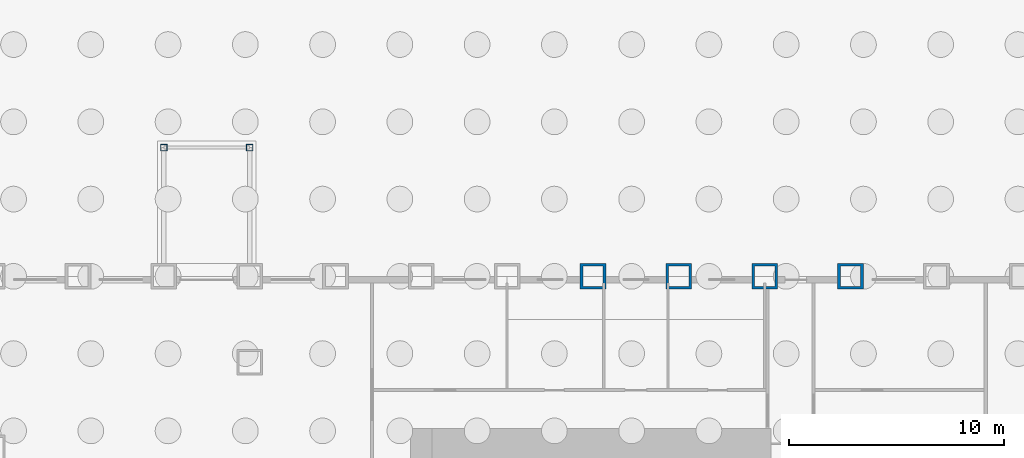
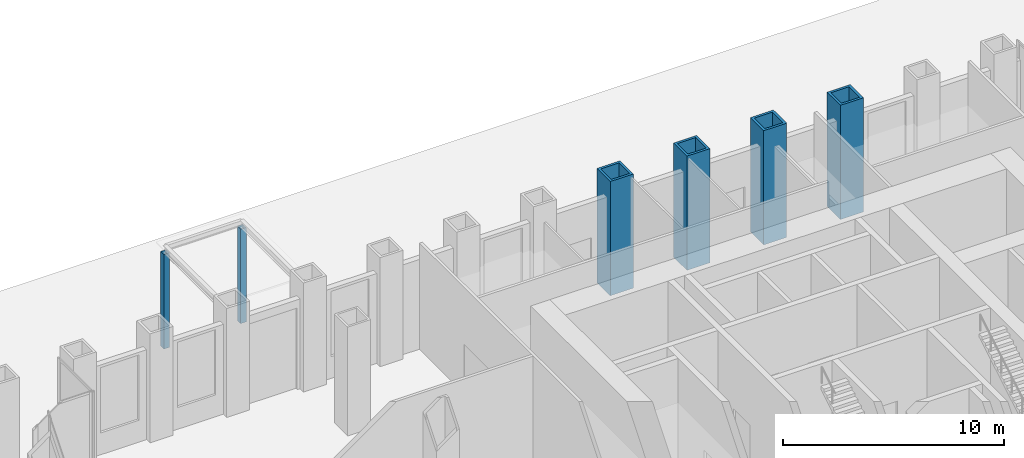
# One storey, part 4 of 17: 6 columns.
"""IFC4 building model written with IfcOpenShell, lengths in metres."""

from ifc_helpers import new_model, si_unit, direction, frame, origin, origin_2d, place, context, subcontext, project, spatial, hollow_rectangle, extrude, material, material_profile, profile_set, type_object, element, save


model = new_model("IFC4")

# Units and contexts
model_context = context("Model", 3, precision=1e-05, world=origin(), true_north=direction((0.0, 1.0)))
body_context = subcontext(model_context, "Body", "Model", "MODEL_VIEW")
ifc_project = project(units=[si_unit("LENGTHUNIT", "METRE"), si_unit("AREAUNIT", "SQUARE_METRE"), si_unit("VOLUMEUNIT", "CUBIC_METRE"), si_unit("PLANEANGLEUNIT", "RADIAN"), si_unit("MASSUNIT", "GRAM", prefix="KILO")], contexts=[model_context])

# Site, building, storey
site_placement = place(None, origin())
site = spatial("IfcSite", under=ifc_project, at=site_placement, CompositionType="ELEMENT")
building_placement = place(site_placement, origin())
building = spatial("IfcBuilding", under=site, at=building_placement, Name="Rimbunsela Tower", CompositionType="ELEMENT")
storey_placement = place(building_placement, origin())
storey = spatial("IfcBuildingStorey", under=building, at=storey_placement, Name="L00", CompositionType="ELEMENT", Elevation=0.0)

# Columns
ifc_material_1 = material(Name="Steel BJ 55 (fy 410 MPa)", Category="steel")
ifc_material_profile_1 = material_profile(ifc_material_1, hollow_rectangle(XDim=1.199951171875, YDim=1.199951171875, WallThickness=0.125, at=origin_2d()), Name="BOX 1200x1200x125")
ifc_profile_set_1 = profile_set([ifc_material_profile_1], Name="Steel BJ 55 (fy 410 MPa)")
column_type_1 = type_object("IfcColumnType", Name="Column BOX 1200x1200x125", PredefinedType="COLUMN", material=ifc_profile_set_1)
for number, where, z_axis, x_axis, name in (
    (1, (26.0, 44.0, -0.300048828125), (0.0, 0.0, 1.0), (1.0, 0.0, 0.0), "Column C6 9/N L00"),
    (2, (30.0, 44.0, -0.300048828125), (0.0, 0.0, 1.0), (1.0, 0.0, 0.0), "Column C6 10/N L00"),
    (3, (34.0, 44.0, -0.300048828125), (0.0, 0.0, 1.0), (1.0, 0.0, 0.0), "Column C6 11/N L00"),
    (4, (38.0, 44.0, -0.300048828125), (0.0, 0.0, 1.0), (1.0, 0.0, 0.0), "Column C6 12/N L00"),
):
    element("IfcColumn", number, at=place(storey_placement, frame(where, z_axis=z_axis, x_axis=x_axis)), inside=storey, type_object=column_type_1, Name=name, PredefinedType="COLUMN", context=body_context, shape_type="SweptSolid", body=[
        extrude(hollow_rectangle(XDim=1.199951171875, YDim=1.199951171875, WallThickness=0.125, at=origin_2d()), origin(), (0.0, 0.0, 1.0), 6.300048828125),
    ])
ifc_material_2 = material(Name="Steel BJ 55 (fy 410 MPa)", Category="steel")
ifc_material_profile_2 = material_profile(ifc_material_2, hollow_rectangle(XDim=0.300048828125, YDim=0.300048828125, WallThickness=0.011962890625, at=origin_2d()), Name="SHS 300x300x12.0")
ifc_profile_set_2 = profile_set([ifc_material_profile_2], Name="Steel BJ 55 (fy 410 MPa)")
column_type_2 = type_object("IfcColumnType", Name="Loading canopy post SHS 300x300x12.0", PredefinedType="COLUMN", material=ifc_profile_set_2)
for number, where, z_axis, x_axis, name in (
    (5, (6.0, 50.0, -0.300048828125), (0.0, 0.0, 1.0), (1.0, 0.0, 0.0), "Loading canopy post LC1"),
    (6, (10.0, 50.0, -0.300048828125), (0.0, 0.0, 1.0), (1.0, 0.0, 0.0), "Loading canopy post LC1"),
):
    element("IfcColumn", number, at=place(storey_placement, frame(where, z_axis=z_axis, x_axis=x_axis)), inside=storey, type_object=column_type_2, Name=name, PredefinedType="COLUMN", context=body_context, shape_type="SweptSolid", body=[
        extrude(hollow_rectangle(XDim=0.300048828125, YDim=0.300048828125, WallThickness=0.011962890625, at=origin_2d()), origin(), (0.0, 0.0, 1.0), 5.199951171875),
    ])

save(model, "model.ifc")
